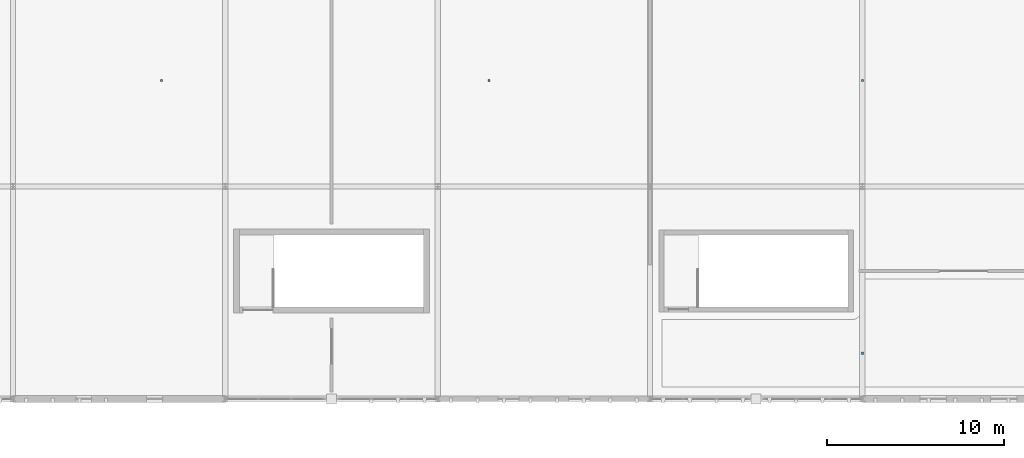
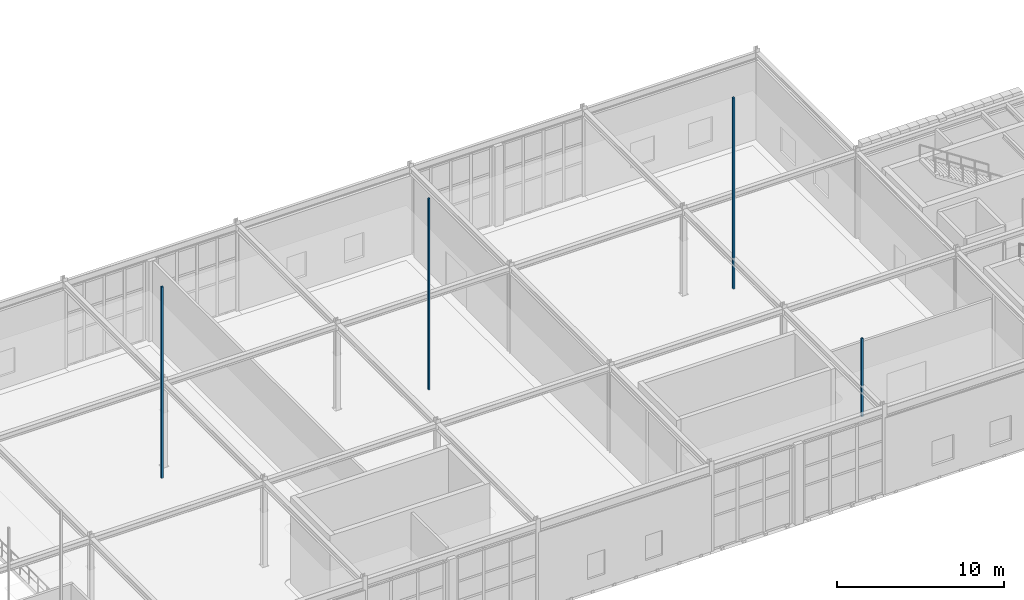
# One storey, part 46 of 62: 4 discrete accessories.
"""IFC4 building model written with IfcOpenShell, lengths in metres."""

from ifc_helpers import new_model, si_unit, direction, frame, origin, origin_2d, place, context, subcontext, project, spatial, rectangle, extrude, material, type_object, element, save


model = new_model("IFC4")

# Units and contexts
model_context = context("Model", 3, precision=1e-05, world=origin(), true_north=direction((0.0, 1.0)))
body_context = subcontext(model_context, "Body", "Model", "MODEL_VIEW")
ifc_project = project(units=[si_unit("LENGTHUNIT", "METRE"), si_unit("AREAUNIT", "SQUARE_METRE"), si_unit("VOLUMEUNIT", "CUBIC_METRE"), si_unit("PLANEANGLEUNIT", "RADIAN"), si_unit("MASSUNIT", "GRAM", prefix="KILO")], contexts=[model_context])

# Site, building, storey
site_placement = place(None, origin())
site = spatial("IfcSite", under=ifc_project, at=site_placement, CompositionType="ELEMENT")
building_placement = place(site_placement, origin())
building = spatial("IfcBuilding", under=site, at=building_placement, Name="Zlatogorsky Bluff Art Gallery", CompositionType="ELEMENT")
storey_placement = place(building_placement, frame((0.0, 0.0, 16.800048828125)))
storey = spatial("IfcBuildingStorey", under=building, at=storey_placement, Name="L03", CompositionType="ELEMENT", Elevation=16.800048828125)

# Discrete accessories
ifc_material = material(Name="Steel S355", Category="steel")
discrete_accessory_type = type_object("IfcDiscreteAccessoryType", Name="Stainless Facade Fin Bracket BRK-01", PredefinedType="BRACKET", material=ifc_material)
for number, where, z_axis, x_axis, name in (
    (1, (68.39990234375, 102.0, 4.05517578125), (0.0, 0.0, 1.0), (1.0, 0.0, 0.0), "Acoustic ceiling suspension hanger L03-G2-12"),
    (2, (86.889892578125, 102.0, 4.05517578125), (0.0, 0.0, 1.0), (1.0, 0.0, 0.0), "Acoustic ceiling suspension hanger L03-G2-13"),
):
    element("IfcDiscreteAccessory", number, at=place(storey_placement, frame(where, z_axis=z_axis, x_axis=x_axis)), inside=storey, type_object=discrete_accessory_type, Name=name, PredefinedType="BRACKET", context=body_context, shape_type="SweptSolid", body=[
        extrude(rectangle(XDim=0.1201171875, YDim=0.1201171875, at=origin_2d()), origin(), (0.0, 0.0, 1.0), 14.010009765625),
    ])
discrete_accessory_1_placement = place(storey_placement, frame((108.0, 86.580078125, 4.054931640625), z_axis=(0.0, 0.0, 1.0), x_axis=(1.0, 0.0, 0.0)))
element("IfcDiscreteAccessory", 3, at=discrete_accessory_1_placement, inside=storey, type_object=discrete_accessory_type, Name="Acoustic ceiling suspension hanger L03-G3-11", PredefinedType="BRACKET", context=body_context, shape_type="SweptSolid", body=[
    extrude(rectangle(XDim=0.1201171875, YDim=0.1201171875, at=origin_2d()), origin(), (0.0, 0.0, 1.0), 5.71875),
])
discrete_accessory_2_placement = place(storey_placement, frame((108.0, 102.0, 4.05517578125), z_axis=(0.0, 0.0, 1.0), x_axis=(1.0, 0.0, 0.0)))
element("IfcDiscreteAccessory", 4, at=discrete_accessory_2_placement, inside=storey, type_object=discrete_accessory_type, Name="Acoustic ceiling suspension hanger L03-G3-12", PredefinedType="BRACKET", context=body_context, shape_type="SweptSolid", body=[
    extrude(rectangle(XDim=0.1201171875, YDim=0.1201171875, at=origin_2d()), origin(), (0.0, 0.0, 1.0), 14.010009765625),
])

save(model, "model.ifc")
